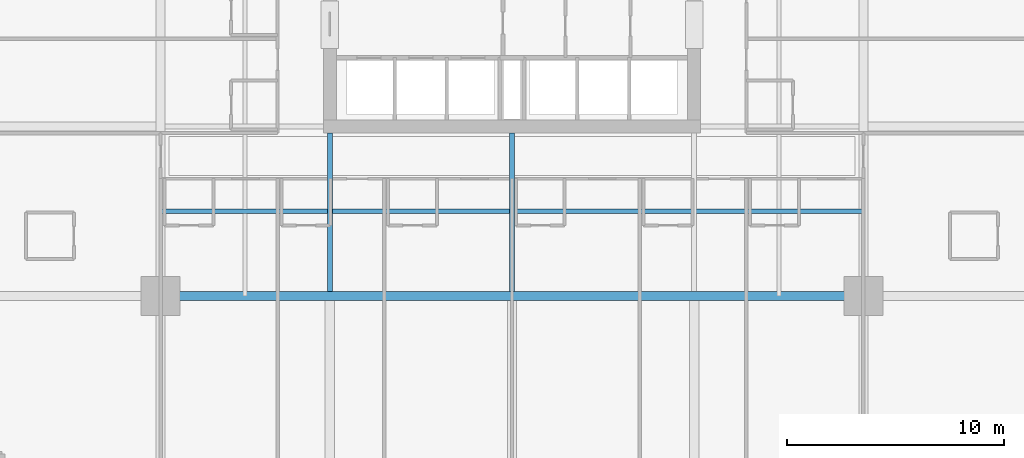
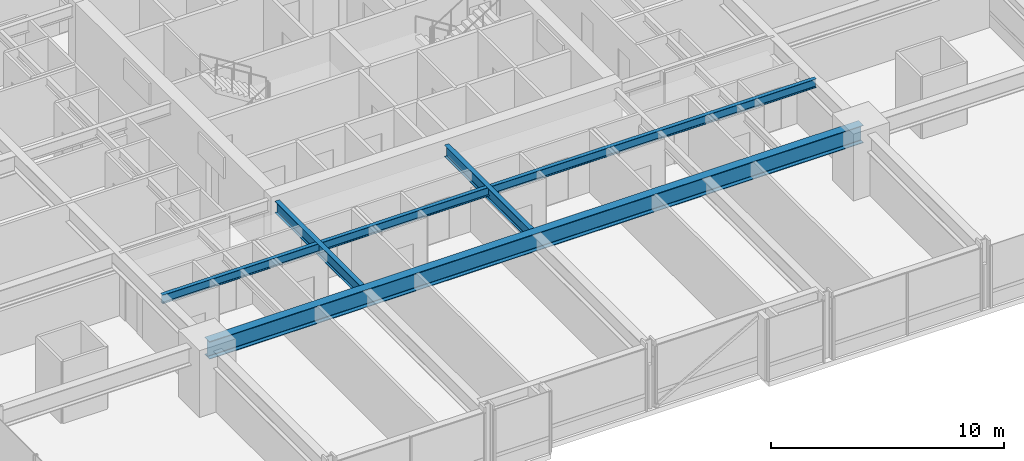
# One storey, part 6 of 39: 4 beams.
"""IFC4 building model written with IfcOpenShell, lengths in metres."""

from ifc_helpers import new_model, si_unit, direction, frame, origin, origin_2d, place, context, subcontext, project, spatial, i_section, extrude, material, material_profile, profile_set, type_object, element, save


model = new_model("IFC4")

# Units and contexts
model_context = context("Model", 3, precision=1e-05, world=origin(), true_north=direction((0.0, 1.0)))
body_context = subcontext(model_context, "Body", "Model", "MODEL_VIEW")
ifc_project = project(units=[si_unit("LENGTHUNIT", "METRE"), si_unit("AREAUNIT", "SQUARE_METRE"), si_unit("VOLUMEUNIT", "CUBIC_METRE"), si_unit("PLANEANGLEUNIT", "RADIAN"), si_unit("MASSUNIT", "GRAM", prefix="KILO")], contexts=[model_context])

# Site, building, storey
site_placement = place(None, origin())
site = spatial("IfcSite", under=ifc_project, at=site_placement, CompositionType="ELEMENT")
building_placement = place(site_placement, origin())
building = spatial("IfcBuilding", under=site, at=building_placement, Name="Drelvath Grand Hotel", CompositionType="ELEMENT")
storey_placement = place(building_placement, frame((0.0, 0.0, 36.699951171875)))
storey = spatial("IfcBuildingStorey", under=building, at=storey_placement, Name="L07", CompositionType="ELEMENT", Elevation=36.699951171875)

# Beams
ifc_material = material(Name="Steel ASTM A992 Gr 50", Category="steel")
ifc_material_profile_1 = material_profile(ifc_material, i_section(OverallWidth=0.19140625, OverallDepth=0.4599609375, WebThickness=0.010009765625, FlangeThickness=0.01611328125, FilletRadius=0.01611328125, at=origin_2d()), Name="W18X55")
ifc_profile_set_1 = profile_set([ifc_material_profile_1], Name="Steel ASTM A992 Gr 50")
beam_type_1 = type_object("IfcBeamType", Name="Composite Floor Joist W18X55", PredefinedType="JOIST", material=ifc_profile_set_1)
beam_1_placement = place(storey_placement, frame((-16.199951171875, 14.699951171875, 3.010009765625), z_axis=(1.0, 0.0, 0.0), x_axis=(0.0, 1.0, 0.0)))
element("IfcBeam", 1, at=beam_1_placement, inside=storey, type_object=beam_type_1, Name="L07 Floor Joist J1", PredefinedType="JOIST", context=body_context, shape_type="SweptSolid", body=[
    extrude(i_section(OverallWidth=0.19140625, OverallDepth=0.4599609375, WebThickness=0.010009765625, FlangeThickness=0.01611328125, FilletRadius=0.01611328125, at=origin_2d()), origin(), (0.0, 0.0, 1.0), 32.39990234375),
])
ifc_material_profile_2 = material_profile(ifc_material, i_section(OverallWidth=0.228271484375, OverallDepth=0.607666015625, WebThickness=0.01123046875, FlangeThickness=0.017333984375, FilletRadius=0.02001953125, at=origin_2d()), Name="W24X76")
ifc_profile_set_2 = profile_set([ifc_material_profile_2], Name="Steel ASTM A992 Gr 50")
beam_type_2 = type_object("IfcBeamType", Name="Primary Floor Girder W24X76", PredefinedType="BEAM", material=ifc_profile_set_2)
for number, where, z_axis, x_axis, name in (
    (2, (-8.39990234375, 11.00927734375, 2.936279296875), (0.0, 1.0, 0.0), (-1.0, 0.0, 0.0), "L07 South Core Tie 4"),
    (3, (0.0, 11.00927734375, 2.936279296875), (0.0, 1.0, 0.0), (-1.0, 0.0, 0.0), "L07 South Core Tie 5"),
):
    element("IfcBeam", number, at=place(storey_placement, frame(where, z_axis=z_axis, x_axis=x_axis)), inside=storey, type_object=beam_type_2, Name=name, PredefinedType="BEAM", context=body_context, shape_type="SweptSolid", body=[
        extrude(i_section(OverallWidth=0.228271484375, OverallDepth=0.607666015625, WebThickness=0.01123046875, FlangeThickness=0.017333984375, FilletRadius=0.02001953125, at=origin_2d()), origin(), (0.0, 0.0, 1.0), 7.290771484375),
    ])
ifc_material_profile_3 = material_profile(ifc_material, i_section(OverallWidth=0.418212890625, OverallDepth=0.926513671875, WebThickness=0.019287109375, FlangeThickness=0.031982421875, FilletRadius=0.028076171875, at=origin_2d()), Name="W36X231")
ifc_profile_set_3 = profile_set([ifc_material_profile_3], Name="Steel ASTM A992 Gr 50")
beam_type_3 = type_object("IfcBeamType", Name="Primary Floor Girder W36X231", PredefinedType="BEAM", material=ifc_profile_set_3)
beam_2_placement = place(storey_placement, frame((-16.199951171875, 10.800048828125, 2.77685546875), z_axis=(1.0, 0.0, 0.0), x_axis=(0.0, 1.0, 0.0)))
element("IfcBeam", 4, at=beam_2_placement, inside=storey, type_object=beam_type_3, Name="L07 Mega Ring Girder South", PredefinedType="BEAM", context=body_context, shape_type="SweptSolid", body=[
    extrude(i_section(OverallWidth=0.418212890625, OverallDepth=0.926513671875, WebThickness=0.019287109375, FlangeThickness=0.031982421875, FilletRadius=0.028076171875, at=origin_2d()), origin(), (0.0, 0.0, 1.0), 32.39990234375),
])

save(model, "model.ifc")
